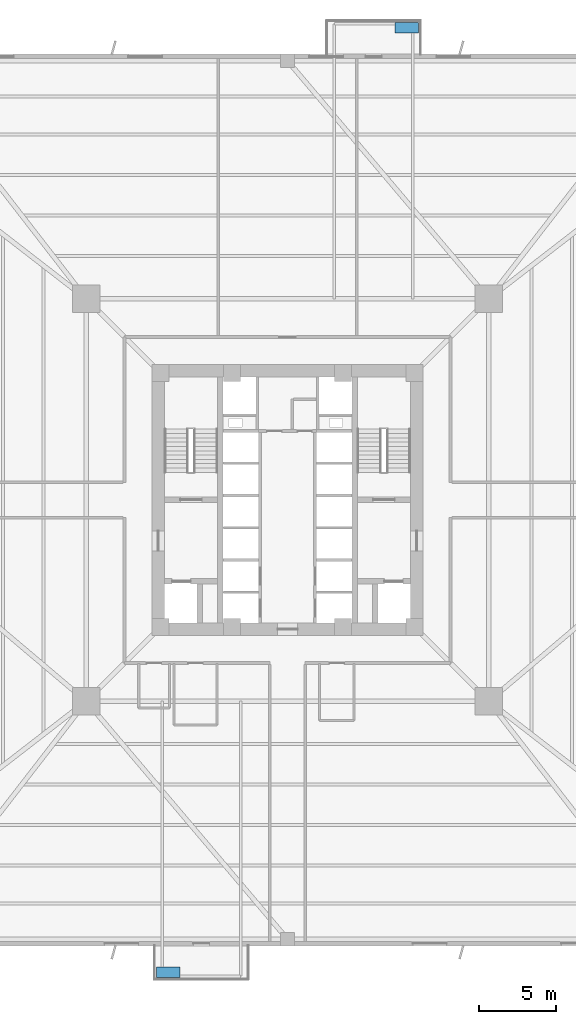
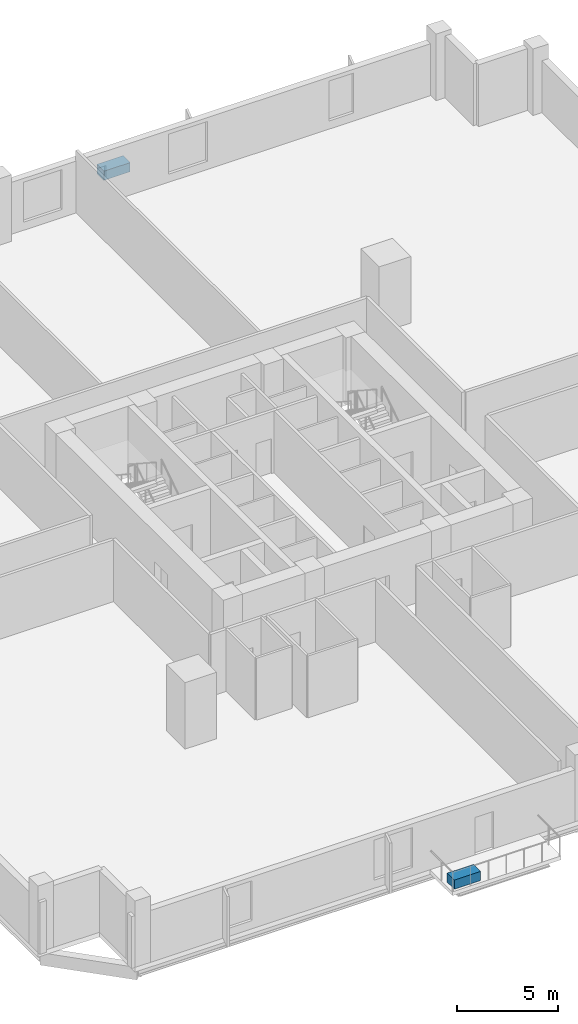
# One storey, part 5 of 8: 2 discrete accessories.
"""IFC4 building model written with IfcOpenShell, lengths in metres."""

from ifc_helpers import new_model, si_unit, direction, frame, origin, origin_2d, place, context, subcontext, project, spatial, rectangle, extrude, source, transform, mapped, material, type_object, element, save


model = new_model("IFC4")

# Units and contexts
model_context = context("Model", 3, precision=1e-05, world=origin(), true_north=direction((0.0, 1.0)))
body_context = subcontext(model_context, "Body", "Model", "MODEL_VIEW")
ifc_project = project(units=[si_unit("LENGTHUNIT", "METRE"), si_unit("AREAUNIT", "SQUARE_METRE"), si_unit("VOLUMEUNIT", "CUBIC_METRE"), si_unit("PLANEANGLEUNIT", "RADIAN"), si_unit("MASSUNIT", "GRAM", prefix="KILO"), si_unit("THERMODYNAMICTEMPERATUREUNIT", "KELVIN")], contexts=[model_context])

# Site, building, storey
site_placement = place(None, origin())
site = spatial("IfcSite", under=ifc_project, at=site_placement, CompositionType="ELEMENT")
building_placement = place(site_placement, origin())
building = spatial("IfcBuilding", under=site, at=building_placement, Name="Kosmvard Interchange Tower", CompositionType="ELEMENT")
storey_placement = place(building_placement, frame((0.0, 0.0, 30.0)))
storey = spatial("IfcBuildingStorey", under=building, at=storey_placement, Name="L06", CompositionType="ELEMENT", Elevation=30.0)

# Discrete accessories
ifc_material = material(Name="Terracotta precast planter concrete C45/55", Category="masonry")
discrete_accessory_type = type_object("IfcDiscreteAccessoryType", Name="Precast Tree-Balcony & Terrace Planter Box", PredefinedType="USERDEFINED", material=ifc_material)
shared_shape = source(origin(), body_context, "Body", "SweptSolid", [
    extrude(rectangle(XDim=1.5, YDim=0.699951171875, at=origin_2d()), origin(), (0.0, 0.0, 1.0), 0.550048828125),
])
for number, where, z_axis, x_axis, name in (
    (1, (-7.75, -30.699951171875, 0.0), (0.0, 0.0, 1.0), (1.0, 0.0, 0.0), "L06 Balcony Tree Planter BAL-L06-S"),
    (2, (7.75, 30.699951171875, 0.0), (0.0, 0.0, 1.0), (1.0, 0.0, 0.0), "L06 Balcony Tree Planter BAL-L06-N"),
):
    element("IfcDiscreteAccessory", number, at=place(storey_placement, frame(where, z_axis=z_axis, x_axis=x_axis)), inside=storey, type_object=discrete_accessory_type, Name=name, ObjectType="PLANTER", PredefinedType="USERDEFINED", context=body_context, shape_type="MappedRepresentation", body=[
        mapped(shared_shape, transform((0.0, 0.0, 0.0), scale=1.0)),
    ])

save(model, "model.ifc")
